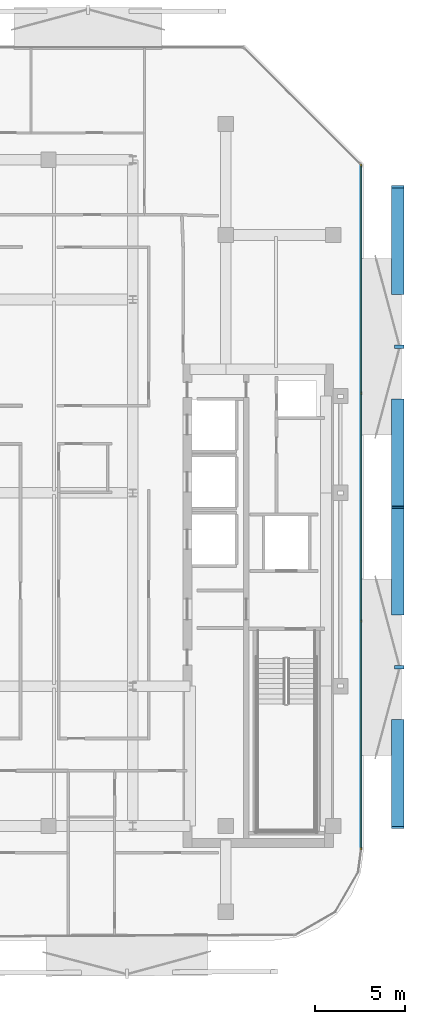
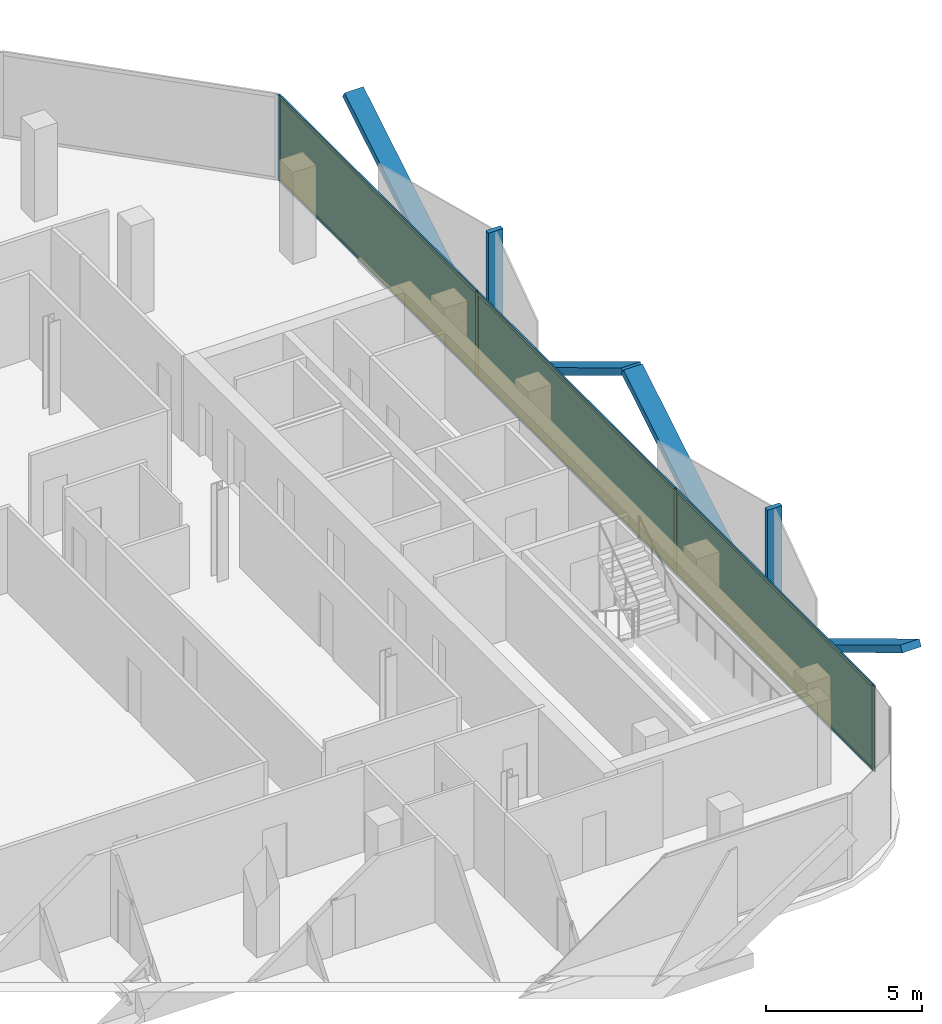
# One storey, part 10 of 15: 16 members, 3 plates, 1 curtain wall.
"""IFC4 building model written with IfcOpenShell, lengths in metres."""

from ifc_helpers import new_model, si_unit, direction, frame, frame_2d, origin, origin_2d, place, context, subcontext, project, spatial, rectangle, extrude, material, layer, layer_set, material_profile, profile_set, type_object, element, aggregate, save


model = new_model("IFC4")

# Units and contexts
model_context = context("Model", 3, precision=1e-05, world=origin(), true_north=direction((0.0, 1.0)))
body_context = subcontext(model_context, "Body", "Model", "MODEL_VIEW")
ifc_project = project(units=[si_unit("LENGTHUNIT", "METRE"), si_unit("AREAUNIT", "SQUARE_METRE"), si_unit("VOLUMEUNIT", "CUBIC_METRE"), si_unit("PLANEANGLEUNIT", "RADIAN"), si_unit("MASSUNIT", "GRAM", prefix="KILO")], contexts=[model_context])

# Member
ifc_material_1 = material(Name="Anodised Bronze Aluminium 6063-T6", Category="aluminium")
ifc_material_profile_1 = material_profile(ifc_material_1, rectangle(XDim=0.260009765625, YDim=0.699951171875, at=origin_2d()))
ifc_profile_set_1 = profile_set([ifc_material_profile_1], Name="Anodised Bronze Aluminium 6063-T6")
member_type_1 = type_object("IfcMemberType", Name="Bronze Diamond Solar-Screen Lattice Rib BDL-700", PredefinedType="MULLION", material=ifc_profile_set_1)
site_placement = place(None, origin())
building_placement = place(site_placement, origin())
storey_placement = place(building_placement, frame((0.0, 0.0, 251.199951171875)))
member_1_placement = place(storey_placement, frame((24.0, 5.171142578125, -0.1298828125), z_axis=(0.0, -0.856191669706, 0.516658324936), x_axis=(0.0, -0.516658324936, -0.856191669706)))
member_1 = element("IfcMember", 1, at=member_1_placement, type_object=member_type_1, Name="L59 Bronze Diamond Solar Screen Lattice Rib 407A", PredefinedType="MULLION", context=body_context, shape_type="SweptSolid", body=[
    extrude(rectangle(XDim=0.260009765625, YDim=0.699951171875, at=origin_2d()), origin(), (0.0, 0.0, 1.0), 6.967529296875),
])

member_2_placement = place(storey_placement, frame((24.0, 11.136474609375, -0.1298828125), z_axis=(0.0, 0.856191669706, 0.516658324936), x_axis=(0.0, 0.516658324936, -0.856191669706)))
member_2 = element("IfcMember", 2, at=member_2_placement, type_object=member_type_1, Name="L59 Bronze Diamond Solar Screen Lattice Rib 407B", PredefinedType="MULLION", context=body_context, shape_type="SweptSolid", body=[
    extrude(rectangle(XDim=0.260009765625, YDim=0.699951171875, at=origin_2d()), origin(), (0.0, 0.0, 1.0), 6.967529296875),
])

member_3_placement = place(storey_placement, frame((24.0, -12.725341796875, -0.1298828125), z_axis=(0.0, -0.856191669706, 0.516658324936), x_axis=(0.0, -0.516658324936, -0.856191669706)))
member_3 = element("IfcMember", 3, at=member_3_placement, type_object=member_type_1, Name="L59 Bronze Diamond Solar Screen Lattice Rib 408A", PredefinedType="MULLION", context=body_context, shape_type="SweptSolid", body=[
    extrude(rectangle(XDim=0.260009765625, YDim=0.699951171875, at=origin_2d()), origin(), (0.0, 0.0, 1.0), 6.967529296875),
])

member_4_placement = place(storey_placement, frame((24.0, -6.760009765625, -0.1298828125), z_axis=(0.0, 0.856191669706, 0.516658324936), x_axis=(0.0, 0.516658324936, -0.856191669706)))
member_4 = element("IfcMember", 4, at=member_4_placement, type_object=member_type_1, Name="L59 Bronze Diamond Solar Screen Lattice Rib 408B", PredefinedType="MULLION", context=body_context, shape_type="SweptSolid", body=[
    extrude(rectangle(XDim=0.260009765625, YDim=0.699951171875, at=origin_2d()), origin(), (0.0, 0.0, 1.0), 6.967529296875),
])

ifc_material_2 = material(Name="Anodised Bronze Aluminium 6063-T6", Category="aluminium")
ifc_material_profile_2 = material_profile(ifc_material_2, rectangle(XDim=0.179931640625, YDim=0.5400390625, at=origin_2d()))
ifc_profile_set_2 = profile_set([ifc_material_profile_2], Name="Anodised Bronze Aluminium 6063-T6")
member_type_2 = type_object("IfcMemberType", Name="Bronze Solar-Screen Vertical Fold Fin BSF-540", PredefinedType="MULLION", material=ifc_profile_set_2)
member_5_placement = place(storey_placement, frame((24.080078125, 8.15380859375, -0.1298828125), z_axis=(0.0, 0.0, 1.0), x_axis=(0.0, -1.0, 0.0)))
member_5 = element("IfcMember", 5, at=member_5_placement, type_object=member_type_2, Name="L59 Bronze Solar Screen Vertical Fin 407", PredefinedType="MULLION", context=body_context, shape_type="SweptSolid", body=[
    extrude(rectangle(XDim=0.179931640625, YDim=0.5400390625, at=origin_2d()), origin(), (0.0, 0.0, 1.0), 3.599853515625),
])

member_6_placement = place(storey_placement, frame((24.080078125, -9.74267578125, -0.1298828125), z_axis=(0.0, 0.0, 1.0), x_axis=(0.0, -1.0, 0.0)))
member_6 = element("IfcMember", 6, at=member_6_placement, type_object=member_type_2, Name="L59 Bronze Solar Screen Vertical Fin 408", PredefinedType="MULLION", context=body_context, shape_type="SweptSolid", body=[
    extrude(rectangle(XDim=0.179931640625, YDim=0.5400390625, at=origin_2d()), origin(), (0.0, 0.0, 1.0), 3.599853515625),
])

ifc_material_3 = material(Name="Anodised Bronze Aluminium 6063-T6", Category="aluminium")
ifc_material_profile_3 = material_profile(ifc_material_3, rectangle(XDim=0.06005859375, YDim=0.159912109375, at=origin_2d()))
ifc_profile_set_3 = profile_set([ifc_material_profile_3], Name="Anodised Bronze Aluminium 6063-T6")
member_type_3 = type_object("IfcMemberType", Name="CW-Z4 Mullion 60x160", PredefinedType="MULLION", material=ifc_profile_set_3)
member_7_placement = place(storey_placement, frame((21.9599609375, 18.27197265625, 0.0), z_axis=(0.0, 0.0, 1.0), x_axis=(1.0, 0.0, 0.0)))
member_7 = element("IfcMember", 7, at=member_7_placement, type_object=member_type_3, Name="CW-Z4 mullion 1", PredefinedType="MULLION", context=body_context, shape_type="SweptSolid", body=[
    extrude(rectangle(XDim=0.06005859375, YDim=0.159912109375, at=origin_2d()), origin(), (0.0, 0.0, 1.0), 3.340087890625),
])

member_8_placement = place(storey_placement, frame((21.9599609375, 5.571044921875, 0.0), z_axis=(0.0, 0.0, 1.0), x_axis=(1.0, 0.0, 0.0)))
member_8 = element("IfcMember", 8, at=member_8_placement, type_object=member_type_3, Name="CW-Z4 mullion 2", PredefinedType="MULLION", context=body_context, shape_type="SweptSolid", body=[
    extrude(rectangle(XDim=0.06005859375, YDim=0.159912109375, at=origin_2d()), origin(), (0.0, 0.0, 1.0), 3.340087890625),
])

member_9_placement = place(storey_placement, frame((21.9599609375, -7.159912109375, 0.0), z_axis=(0.0, 0.0, 1.0), x_axis=(1.0, 0.0, 0.0)))
member_9 = element("IfcMember", 9, at=member_9_placement, type_object=member_type_3, Name="CW-Z4 mullion 3", PredefinedType="MULLION", context=body_context, shape_type="SweptSolid", body=[
    extrude(rectangle(XDim=0.06005859375, YDim=0.159912109375, at=origin_2d()), origin(), (0.0, 0.0, 1.0), 3.340087890625),
])

member_10_placement = place(storey_placement, frame((21.9599609375, -19.86083984375, 0.0), z_axis=(0.0, 0.0, 1.0), x_axis=(1.0, 0.0, 0.0)))
member_10 = element("IfcMember", 10, at=member_10_placement, type_object=member_type_3, Name="CW-Z4 mullion 4", PredefinedType="MULLION", context=body_context, shape_type="SweptSolid", body=[
    extrude(rectangle(XDim=0.06005859375, YDim=0.159912109375, at=origin_2d()), origin(), (0.0, 0.0, 1.0), 3.340087890625),
])

ifc_material_4 = material(Name="Anodised Bronze Aluminium 6063-T6", Category="aluminium")
ifc_material_profile_4 = material_profile(ifc_material_4, rectangle(XDim=0.06005859375, YDim=0.125, at=origin_2d()))
ifc_profile_set_4 = profile_set([ifc_material_profile_4], Name="Anodised Bronze Aluminium 6063-T6")
member_type_4 = type_object("IfcMemberType", Name="CW-Z4 Transom 60x125", PredefinedType="USERDEFINED", material=ifc_profile_set_4)
member_11_placement = place(storey_placement, frame((21.9599609375, 18.241943359375, 0.030029296875), z_axis=(0.0, -1.0, 0.0), x_axis=(1.0, 0.0, 0.0)))
member_11 = element("IfcMember", 11, at=member_11_placement, type_object=member_type_4, Name="CW-Z4 transom 1.1", ObjectType="TRANSOM", PredefinedType="USERDEFINED", context=body_context, shape_type="SweptSolid", body=[
    extrude(rectangle(XDim=0.06005859375, YDim=0.125, at=origin_2d()), origin(), (0.0, 0.0, 1.0), 12.640869140625),
])

member_12_placement = place(storey_placement, frame((21.9599609375, 18.241943359375, 3.31005859375), z_axis=(0.0, -1.0, 0.0), x_axis=(1.0, 0.0, 0.0)))
member_12 = element("IfcMember", 12, at=member_12_placement, type_object=member_type_4, Name="CW-Z4 transom 1.2", ObjectType="TRANSOM", PredefinedType="USERDEFINED", context=body_context, shape_type="SweptSolid", body=[
    extrude(rectangle(XDim=0.06005859375, YDim=0.125, at=origin_2d()), origin(), (0.0, 0.0, 1.0), 12.640869140625),
])

member_13_placement = place(storey_placement, frame((21.9599609375, 5.541015625, 0.030029296875), z_axis=(0.0, -1.0, 0.0), x_axis=(1.0, 0.0, 0.0)))
member_13 = element("IfcMember", 13, at=member_13_placement, type_object=member_type_4, Name="CW-Z4 transom 2.1", ObjectType="TRANSOM", PredefinedType="USERDEFINED", context=body_context, shape_type="SweptSolid", body=[
    extrude(rectangle(XDim=0.06005859375, YDim=0.125, at=origin_2d()), origin(), (0.0, 0.0, 1.0), 12.6708984375),
])

member_14_placement = place(storey_placement, frame((21.9599609375, 5.541015625, 3.31005859375), z_axis=(0.0, -1.0, 0.0), x_axis=(1.0, 0.0, 0.0)))
member_14 = element("IfcMember", 14, at=member_14_placement, type_object=member_type_4, Name="CW-Z4 transom 2.2", ObjectType="TRANSOM", PredefinedType="USERDEFINED", context=body_context, shape_type="SweptSolid", body=[
    extrude(rectangle(XDim=0.06005859375, YDim=0.125, at=origin_2d()), origin(), (0.0, 0.0, 1.0), 12.6708984375),
])

member_15_placement = place(storey_placement, frame((21.9599609375, -7.18994140625, 0.030029296875), z_axis=(0.0, -1.0, 0.0), x_axis=(1.0, 0.0, 0.0)))
member_15 = element("IfcMember", 15, at=member_15_placement, type_object=member_type_4, Name="CW-Z4 transom 3.1", ObjectType="TRANSOM", PredefinedType="USERDEFINED", context=body_context, shape_type="SweptSolid", body=[
    extrude(rectangle(XDim=0.06005859375, YDim=0.125, at=origin_2d()), origin(), (0.0, 0.0, 1.0), 12.640869140625),
])

member_16_placement = place(storey_placement, frame((21.9599609375, -7.18994140625, 3.31005859375), z_axis=(0.0, -1.0, 0.0), x_axis=(1.0, 0.0, 0.0)))
member_16 = element("IfcMember", 16, at=member_16_placement, type_object=member_type_4, Name="CW-Z4 transom 3.2", ObjectType="TRANSOM", PredefinedType="USERDEFINED", context=body_context, shape_type="SweptSolid", body=[
    extrude(rectangle(XDim=0.06005859375, YDim=0.125, at=origin_2d()), origin(), (0.0, 0.0, 1.0), 12.640869140625),
])

# Plate
ifc_material_5 = material(Name="Low-E Solar Control Laminated Glass", Category="glass")
ifc_layer_1 = layer(ifc_material_5, 0.030029296875, Name="Low-E Solar Control Laminated Glass")
ifc_layer_set_1 = layer_set([ifc_layer_1], Name="Low-E Solar Control Laminated Glass")
plate_type = type_object("IfcPlateType", Name="CW-Z4 Low-E Double Glazed Panel 30mm", PredefinedType="CURTAIN_PANEL", material=ifc_layer_set_1)
plate_1_placement = place(storey_placement, frame((21.9599609375, 11.921630859375, 0.06005859375), z_axis=(0.0, 0.0, 1.0), x_axis=(0.0, -1.0, 0.0)))
plate_1 = element("IfcPlate", 17, at=plate_1_placement, type_object=plate_type, Name="CW-Z4 panel 1.1", PredefinedType="CURTAIN_PANEL", context=body_context, shape_type="SweptSolid", body=[
    extrude(rectangle(XDim=12.640869140625, YDim=0.030029296875, at=origin_2d()), origin(), (0.0, 0.0, 1.0), 3.219970703125),
])

plate_2_placement = place(storey_placement, frame((21.9599609375, -0.79443359375, 0.06005859375), z_axis=(0.0, 0.0, 1.0), x_axis=(0.0, -1.0, 0.0)))
plate_2 = element("IfcPlate", 18, at=plate_2_placement, type_object=plate_type, Name="CW-Z4 panel 2.1", PredefinedType="CURTAIN_PANEL", context=body_context, shape_type="SweptSolid", body=[
    extrude(rectangle(XDim=12.6708984375, YDim=0.030029296875, at=origin_2d()), origin(), (0.0, 0.0, 1.0), 3.219970703125),
])

plate_3_placement = place(storey_placement, frame((21.9599609375, -13.51025390625, 0.06005859375), z_axis=(0.0, 0.0, 1.0), x_axis=(0.0, -1.0, 0.0)))
plate_3 = element("IfcPlate", 19, at=plate_3_placement, type_object=plate_type, Name="CW-Z4 panel 3.1", PredefinedType="CURTAIN_PANEL", context=body_context, shape_type="SweptSolid", body=[
    extrude(rectangle(XDim=12.640869140625, YDim=0.030029296875, at=origin_2d()), origin(), (0.0, 0.0, 1.0), 3.219970703125),
])

# Site, building, storey
site = spatial("IfcSite", under=ifc_project, at=site_placement, CompositionType="ELEMENT")
building = spatial("IfcBuilding", under=site, at=building_placement, Name="Khairoan Windgate Tower", CompositionType="ELEMENT")
storey = spatial("IfcBuildingStorey", under=building, at=storey_placement, Name="L59", CompositionType="ELEMENT", Elevation=251.199951171875)

# Curtain wall
ifc_material_6 = material(Name="Anodised Bronze Aluminium 6063-T6", Category="aluminium")
ifc_layer_2 = layer(ifc_material_6, 0.159912109375, Name="Anodised Bronze Aluminium 6063-T6")
ifc_layer_set_2 = layer_set([ifc_layer_2], Name="Anodised Bronze Aluminium 6063-T6")
curtain_wall_type = type_object("IfcCurtainWallType", Name="Sky Residence Unitised Curtain Wall CW-Z4", PredefinedType="NOTDEFINED", material=ifc_layer_set_2)
curtain_wall_placement = place(storey_placement, frame((21.9599609375, 18.302001953125, 0.0), z_axis=(0.0, 0.0, 1.0), x_axis=(0.0, -1.0, 0.0)))
curtain_wall = element("IfcCurtainWall", 20, at=curtain_wall_placement, inside=storey, type_object=curtain_wall_type, Name="L59 Unitised Curtain Wall 11", PredefinedType="NOTDEFINED", context=body_context, shape_type="SweptSolid", body=[
    extrude(rectangle(XDim=38.19287109375, YDim=0.010009765625, at=frame_2d((19.096435546875, 0.0))), origin(), (0.0, 0.0, 1.0), 3.340087890625),
])

aggregate(curtain_wall, [member_7, member_8, member_9, member_10, member_11, member_12, plate_1, member_13, member_14, plate_2, member_15, member_16, plate_3, member_1, member_2, member_5, member_3, member_4, member_6])

save(model, "model.ifc")
